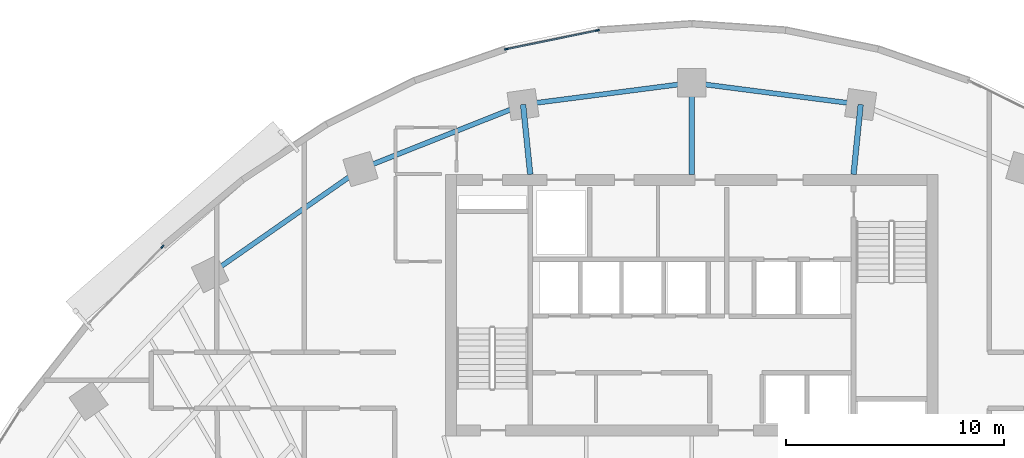
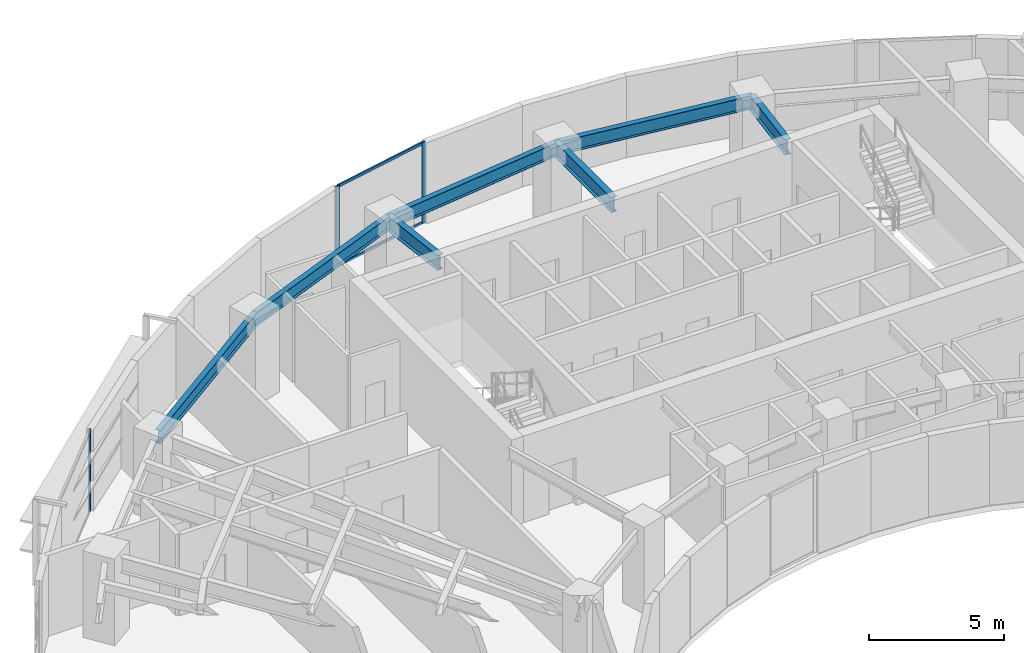
# One storey, part 5 of 14: 7 beams, 5 members, 2 elements without a shape of their own.
"""IFC4 building model written with IfcOpenShell, lengths in metres."""

from ifc_helpers import new_model, si_unit, direction, frame, origin, origin_2d, place, context, subcontext, project, spatial, rectangle, i_section, extrude, source, transform, mapped, material, layer, layer_set, material_profile, profile_set, type_object, element, aggregate, save


model = new_model("IFC4")

# Units and contexts
model_context = context("Model", 3, precision=1e-05, world=origin(), true_north=direction((0.0, 1.0)))
body_context = subcontext(model_context, "Body", "Model", "MODEL_VIEW")
ifc_project = project(units=[si_unit("LENGTHUNIT", "METRE"), si_unit("AREAUNIT", "SQUARE_METRE"), si_unit("VOLUMEUNIT", "CUBIC_METRE"), si_unit("PLANEANGLEUNIT", "RADIAN"), si_unit("MASSUNIT", "GRAM", prefix="KILO")], contexts=[model_context])

# Site, building, storey
site_placement = place(None, origin())
site = spatial("IfcSite", under=ifc_project, at=site_placement, CompositionType="ELEMENT")
building_placement = place(site_placement, origin())
building = spatial("IfcBuilding", under=site, at=building_placement, Name="Breltana Convention Tower", CompositionType="ELEMENT")
storey_placement = place(building_placement, frame((0.0, 0.0, 135.0)))
storey = spatial("IfcBuildingStorey", under=building, at=storey_placement, Name="L32", CompositionType="ELEMENT", Elevation=135.0)

# Beams
ifc_material_1 = material(Name="Steel ASTM A992 Grade 50", Category="steel")
ifc_material_profile_1 = material_profile(ifc_material_1, i_section(OverallWidth=0.25390625, OverallDepth=0.68798828125, WebThickness=0.01318359375, FlangeThickness=0.02099609375, at=origin_2d()), Name="W27X102")
ifc_profile_set_1 = profile_set([ifc_material_profile_1], Name="Steel ASTM A992 Grade 50")
beam_type_1 = type_object("IfcBeamType", Name="BM-RG-W27X102", PredefinedType="USERDEFINED", material=ifc_profile_set_1)
shared_shape_1 = source(origin(), body_context, "Body", "SweptSolid", [
    extrude(i_section(OverallWidth=0.25390625, OverallDepth=0.68798828125, WebThickness=0.01318359375, FlangeThickness=0.02099609375, at=origin_2d()), origin(), (0.0, 0.0, 1.0), 3.220947265625),
])
for number, where, z_axis, x_axis, name in (
    (1, (40.580078125, 72.199951171875, 3.305908203125), (-0.101492254858, 0.994836329355, 0.0), (-0.994836329355, -0.101492254858, 0.0), "L32 North Core Radial Girder R05"),
    (2, (55.419921875, 72.199951171875, 3.305908203125), (0.101492254858, 0.994836329355, 0.0), (-0.994836329355, 0.101492254858, 0.0), "L32 North Core Radial Girder R07"),
):
    element("IfcBeam", number, at=place(storey_placement, frame(where, z_axis=z_axis, x_axis=x_axis)), inside=storey, type_object=beam_type_1, Name=name, ObjectType="GIRDER", PredefinedType="USERDEFINED", context=body_context, shape_type="MappedRepresentation", body=[
        mapped(shared_shape_1, transform((0.0, 0.0, 0.0), scale=1.0)),
    ])
shared_shape_2 = source(origin(), body_context, "Body", "SweptSolid", [
    extrude(i_section(OverallWidth=0.25390625, OverallDepth=0.68798828125, WebThickness=0.01318359375, FlangeThickness=0.02099609375, at=origin_2d()), origin(), (0.0, 0.0, 1.0), 4.2041015625),
])
beam_1_placement = place(storey_placement, frame((48.0, 72.199951171875, 3.305908203125), z_axis=(0.0, 1.0, 0.0), x_axis=(-1.0, 0.0, 0.0)))
element("IfcBeam", 3, at=beam_1_placement, inside=storey, type_object=beam_type_1, Name="L32 North Core Radial Girder R06", ObjectType="GIRDER", PredefinedType="USERDEFINED", context=body_context, shape_type="MappedRepresentation", body=[
    mapped(shared_shape_2, transform((0.0, 0.0, 0.0), scale=1.0)),
])
ifc_material_profile_2 = material_profile(ifc_material_1, i_section(OverallWidth=0.22802734375, OverallDepth=0.60791015625, WebThickness=0.01123046875, FlangeThickness=0.017333984375, at=origin_2d()), Name="W24X76")
ifc_profile_set_2 = profile_set([ifc_material_profile_2], Name="Steel ASTM A992 Grade 50")
beam_type_2 = type_object("IfcBeamType", Name="BM-SP-W24X76", PredefinedType="SPANDREL", material=ifc_profile_set_2)
shared_shape_3 = source(origin(), body_context, "Body", "SweptSolid", [
    extrude(i_section(OverallWidth=0.22802734375, OverallDepth=0.60791015625, WebThickness=0.01123046875, FlangeThickness=0.017333984375, at=origin_2d()), origin(), (0.0, 0.0, 1.0), 8.4169921875),
])
beam_2_placement = place(storey_placement, frame((25.8876953125, 67.626953125, 3.345947265625), z_axis=(0.820173800102, 0.572114444519, 0.0), x_axis=(-0.572114444519, 0.820173800102, 0.0)))
element("IfcBeam", 4, at=beam_2_placement, inside=storey, type_object=beam_type_2, Name="L32 Outer Spandrel Beam 03", PredefinedType="SPANDREL", context=body_context, shape_type="MappedRepresentation", body=[
    mapped(shared_shape_3, transform((0.0, 0.0, 0.0), scale=1.0)),
])
shared_shape_4 = source(origin(), body_context, "Body", "SweptSolid", [
    extrude(i_section(OverallWidth=0.22802734375, OverallDepth=0.60791015625, WebThickness=0.01123046875, FlangeThickness=0.017333984375, at=origin_2d()), origin(), (0.0, 0.0, 1.0), 8.028564453125),
])
beam_3_placement = place(storey_placement, frame((32.791015625, 72.4423828125, 3.345947265625), z_axis=(0.929459100394, 0.368925169507, 0.0), x_axis=(-0.368925169507, 0.929459100394, 0.0)))
element("IfcBeam", 5, at=beam_3_placement, inside=storey, type_object=beam_type_2, Name="L32 Outer Spandrel Beam 04", PredefinedType="SPANDREL", context=body_context, shape_type="MappedRepresentation", body=[
    mapped(shared_shape_4, transform((0.0, 0.0, 0.0), scale=1.0)),
])
shared_shape_5 = source(origin(), body_context, "Body", "SweptSolid", [
    extrude(i_section(OverallWidth=0.22802734375, OverallDepth=0.60791015625, WebThickness=0.01123046875, FlangeThickness=0.017333984375, at=origin_2d()), origin(), (0.0, 0.0, 1.0), 7.81103515625),
])
for number, where, z_axis, x_axis, name in (
    (6, (40.253173828125, 75.404296875, 3.345947265625), (0.991775179127, 0.127992164083, 0.0), (-0.127992164083, 0.991775179127, 0.0), "L32 Outer Spandrel Beam 05"),
    (7, (48.0, 76.404052734375, 3.345947265625), (0.991775179127, -0.127992164083, 0.0), (0.127992164083, 0.991775179127, 0.0), "L32 Outer Spandrel Beam 06"),
):
    element("IfcBeam", number, at=place(storey_placement, frame(where, z_axis=z_axis, x_axis=x_axis)), inside=storey, type_object=beam_type_2, Name=name, PredefinedType="SPANDREL", context=body_context, shape_type="MappedRepresentation", body=[
        mapped(shared_shape_5, transform((0.0, 0.0, 0.0), scale=1.0)),
    ])

# Curtain wall, member
ifc_material_2 = material(Name="Aluminium Anodised Bronze Frame", Category="aluminium")
ifc_layer = layer(ifc_material_2, 0.22998046875, Name="Aluminium Anodised Bronze Frame")
ifc_layer_set = layer_set([ifc_layer], Name="Aluminium Anodised Bronze Frame")
curtain_wall_type = type_object("IfcCurtainWallType", Name="CW-SYS-5", PredefinedType="NOTDEFINED", material=ifc_layer_set)
curtain_wall_1_placement = place(storey_placement, origin())
curtain_wall_1 = element("IfcCurtainWall", 8, at=curtain_wall_1_placement, inside=storey, type_object=curtain_wall_type, Name="L32 outer double-skin inner glazing 2", PredefinedType="NOTDEFINED")
ifc_material_3 = material(Name="Aluminium Anodised Bronze", Category="aluminium")
ifc_material_profile_3 = material_profile(ifc_material_3, rectangle(XDim=0.070068359375, YDim=0.175048828125, at=origin_2d()), Name="CWM-70X175")
ifc_profile_set_3 = profile_set([ifc_material_profile_3], Name="Aluminium Anodised Bronze")
member_type_1 = type_object("IfcMemberType", Name="CWM-175", PredefinedType="MULLION", material=ifc_profile_set_3)
shared_shape_6 = source(origin(), body_context, "Body", "SweptSolid", [
    extrude(rectangle(XDim=0.070068359375, YDim=0.175048828125, at=origin_2d()), origin(), (0.0, 0.0, 1.0), 3.64990234375),
])
member_1_placement = place(storey_placement, frame((23.700439453125, 68.88232421875, 0.0), z_axis=(0.0, 0.0, 1.0), x_axis=(-0.719384961558, 0.694611601605, 0.0)))
member_1 = element("IfcMember", 9, at=member_1_placement, type_object=member_type_1, Name="CW-05 mullion 2", PredefinedType="MULLION", context=body_context, shape_type="MappedRepresentation", body=[
    mapped(shared_shape_6, transform((0.0, 0.0, 0.0), scale=1.0)),
])
aggregate(curtain_wall_1, [member_1])

# Curtain wall, members
curtain_wall_2_placement = place(storey_placement, origin())
curtain_wall_2 = element("IfcCurtainWall", 10, at=curtain_wall_2_placement, inside=storey, type_object=curtain_wall_type, Name="L32 outer double-skin inner glazing 3", PredefinedType="NOTDEFINED")
member_2_placement = place(storey_placement, frame((39.486083984375, 77.947998046875, 0.0), z_axis=(0.0, 0.0, 1.0), x_axis=(-0.200858550415, 0.979620254346, 0.0)))
member_2 = element("IfcMember", 11, at=member_2_placement, type_object=member_type_1, Name="CW-05 mullion 1", PredefinedType="MULLION", context=body_context, shape_type="MappedRepresentation", body=[
    mapped(shared_shape_6, transform((0.0, 0.0, 0.0), scale=1.0)),
])
member_3_placement = place(storey_placement, frame((43.669921875, 78.805908203125, 0.0), z_axis=(0.0, 0.0, 1.0), x_axis=(-0.200858550415, 0.979620254346, 0.0)))
member_3 = element("IfcMember", 12, at=member_3_placement, type_object=member_type_1, Name="CW-05 mullion 2", PredefinedType="MULLION", context=body_context, shape_type="MappedRepresentation", body=[
    mapped(shared_shape_6, transform((0.0, 0.0, 0.0), scale=1.0)),
])
ifc_material_profile_4 = material_profile(ifc_material_3, rectangle(XDim=0.070068359375, YDim=0.1201171875, at=origin_2d()), Name="CWT-70X120")
ifc_profile_set_4 = profile_set([ifc_material_profile_4], Name="Aluminium Anodised Bronze")
member_type_2 = type_object("IfcMemberType", Name="CWT-120", PredefinedType="USERDEFINED", material=ifc_profile_set_4)
shared_shape_7 = source(origin(), body_context, "Body", "SweptSolid", [
    extrude(rectangle(XDim=0.070068359375, YDim=0.1201171875, at=origin_2d()), origin(), (0.0, 0.0, 1.0), 4.200927734375),
])
member_4_placement = place(storey_placement, frame((39.520263671875, 77.955078125, 0.034912109375), z_axis=(0.979621469833, 0.200852622196, 0.0), x_axis=(-0.200852622196, 0.979621469833, 0.0)))
member_4 = element("IfcMember", 13, at=member_4_placement, type_object=member_type_2, Name="CW-05 transom 1.1", ObjectType="TRANSOM", PredefinedType="USERDEFINED", context=body_context, shape_type="MappedRepresentation", body=[
    mapped(shared_shape_7, transform((0.0, 0.0, 0.0), scale=1.0)),
])
member_5_placement = place(storey_placement, frame((39.520263671875, 77.955078125, 3.614990234375), z_axis=(0.979621469833, 0.200852622196, 0.0), x_axis=(-0.200852622196, 0.979621469833, 0.0)))
member_5 = element("IfcMember", 14, at=member_5_placement, type_object=member_type_2, Name="CW-05 transom 1.2", ObjectType="TRANSOM", PredefinedType="USERDEFINED", context=body_context, shape_type="MappedRepresentation", body=[
    mapped(shared_shape_7, transform((0.0, 0.0, 0.0), scale=1.0)),
])
aggregate(curtain_wall_2, [member_2, member_3, member_4, member_5])

save(model, "model.ifc")
